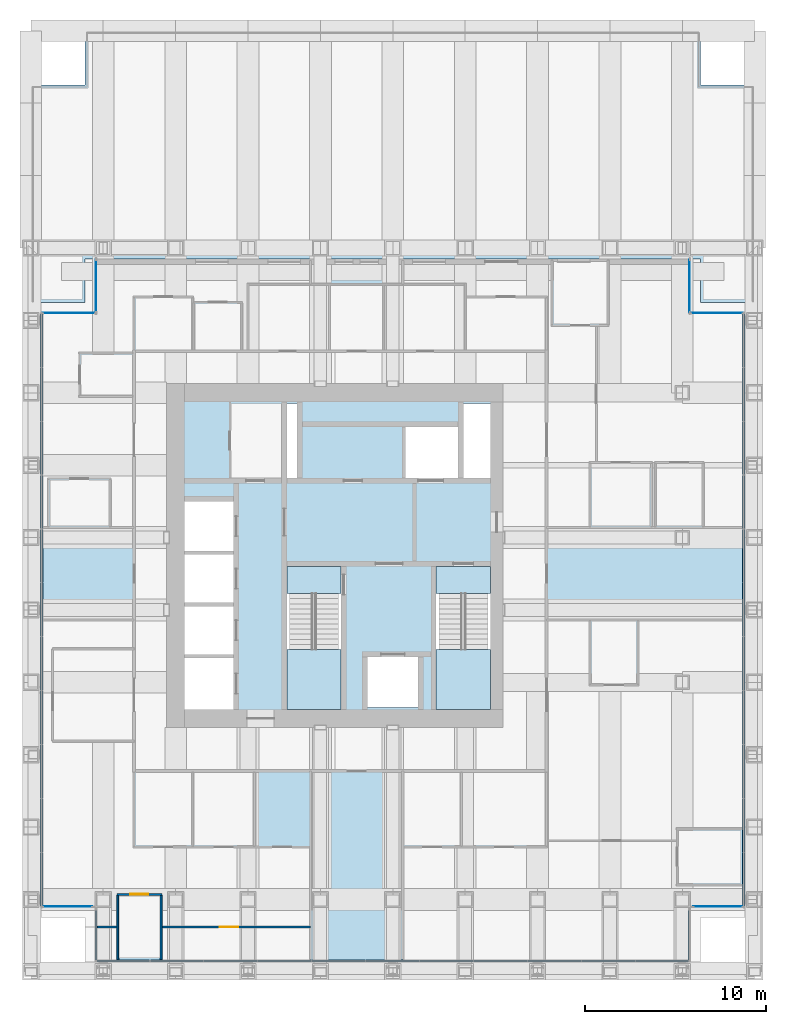
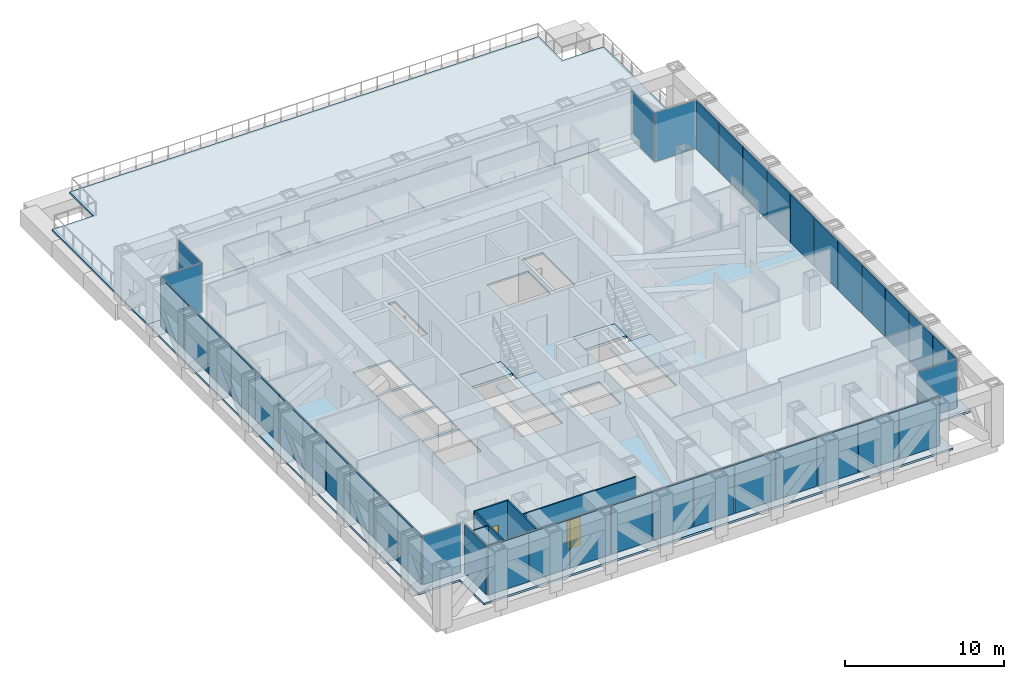
# One storey, part 10 of 17: 41 plates, 6 slabs, 5 walls, 2 doors, 2 openings, 13 elements without a shape of their own.
"""IFC4 building model written with IfcOpenShell, lengths in metres."""

from ifc_helpers import new_model, si_unit, direction, frame, frame_2d, origin, origin_2d, place, context, subcontext, project, spatial, polyline, rectangle, outline, extrude, material, layer, layer_set, type_object, element, fill, aggregate, save


model = new_model("IFC4")

# Units and contexts
model_context = context("Model", 3, precision=1e-05, world=origin(), true_north=direction((0.0, 1.0)))
body_context = subcontext(model_context, "Body", "Model", "MODEL_VIEW")
ifc_project = project(units=[si_unit("LENGTHUNIT", "METRE"), si_unit("AREAUNIT", "SQUARE_METRE"), si_unit("VOLUMEUNIT", "CUBIC_METRE"), si_unit("PLANEANGLEUNIT", "RADIAN"), si_unit("MASSUNIT", "GRAM", prefix="KILO")], contexts=[model_context])

# Site, building, storey
site_placement = place(None, origin())
site = spatial("IfcSite", under=ifc_project, at=site_placement, CompositionType="ELEMENT")
building_placement = place(site_placement, origin())
building = spatial("IfcBuilding", under=site, at=building_placement, Name="Rimbunsela Tower", CompositionType="ELEMENT")
storey_placement = place(building_placement, frame((0.0, 0.0, 238.199951171875)))
storey = spatial("IfcBuildingStorey", under=building, at=storey_placement, Name="L57", CompositionType="ELEMENT", Elevation=238.199951171875)

# Slab
ifc_material_1 = material(Name="Concrete fc' 35 MPa", Category="concrete")
ifc_layer_1 = layer(ifc_material_1, 0.14990234375)
ifc_layer_set_1 = layer_set([ifc_layer_1], Name="Floor slab 150")
slab_type_1 = type_object("IfcSlabType", Name="Floor slab 150", PredefinedType="FLOOR", material=ifc_layer_set_1)
slab_1_placement = place(storey_placement, frame((0.0, 0.0, -0.14990234375)))
element("IfcSlab", 1, at=slab_1_placement, inside=storey, type_object=slab_type_1, Name="Floor slab L57", PredefinedType="FLOOR", context=body_context, shape_type="SweptSolid", body=[
    extrude(outline(polyline([(47.0, 41.0), (47.0, 43.39990234375), (13.0, 43.39990234375), (13.0, 41.0), (10.0, 41.0), (10.0, 7.0), (13.0, 7.0), (13.0, 4.0), (47.0, 4.0), (47.0, 7.0), (50.0, 7.0), (50.0, 41.0), (47.0, 41.0)]), holes=[polyline([(21.199951171875, 21.35009765625), (18.5, 21.35009765625), (18.5, 18.5), (21.199951171875, 18.5), (21.199951171875, 21.35009765625)]), polyline([(21.199951171875, 21.550048828125), (21.199951171875, 24.199951171875), (18.5, 24.199951171875), (18.5, 21.550048828125), (21.199951171875, 21.550048828125)]), polyline([(21.199951171875, 27.050048828125), (18.5, 27.050048828125), (18.5, 24.39990234375), (21.199951171875, 24.39990234375), (21.199951171875, 27.050048828125)]), polyline([(21.199951171875, 30.0), (18.5, 30.0), (18.5, 27.25), (21.199951171875, 27.25), (21.199951171875, 30.0)]), polyline([(27.14990234375, 26.39990234375), (24.14990234375, 26.39990234375), (24.14990234375, 18.60009765625), (27.14990234375, 18.60009765625), (27.14990234375, 26.39990234375)]), polyline([(24.699951171875, 31.300048828125), (24.699951171875, 35.39990234375), (24.14990234375, 35.39990234375), (24.14990234375, 31.300048828125), (24.699951171875, 31.300048828125)]), polyline([(31.39990234375, 21.39990234375), (28.60009765625, 21.39990234375), (28.60009765625, 18.60009765625), (31.39990234375, 18.60009765625), (31.39990234375, 21.39990234375)]), polyline([(33.60009765625, 34.10009765625), (30.60009765625, 34.10009765625), (30.60009765625, 31.300048828125), (33.60009765625, 31.300048828125), (33.60009765625, 34.10009765625)]), polyline([(35.39990234375, 18.60009765625), (35.39990234375, 26.39990234375), (32.39990234375, 26.39990234375), (32.39990234375, 18.60009765625), (35.39990234375, 18.60009765625)]), polyline([(35.39990234375, 31.300048828125), (35.39990234375, 35.39990234375), (33.89990234375, 35.39990234375), (33.89990234375, 31.300048828125), (35.39990234375, 31.300048828125)])]), origin(), (0.0, 0.0, 1.0), 0.14990234375),
])

# Curtain wall, plate
ifc_material_2 = material(Name="Aluminium curtain wall", Category="aluminium")
curtain_wall_type_1 = type_object("IfcCurtainWallType", Name="Corner glazing", PredefinedType="USERDEFINED", material=ifc_material_2)
curtain_wall_1_placement = place(storey_placement, origin())
curtain_wall_1 = element("IfcCurtainWall", 2, at=curtain_wall_1_placement, inside=storey, type_object=curtain_wall_type_1, Name="Corner glazing L57", ObjectType="CORNER GLAZING", PredefinedType="USERDEFINED")
ifc_material_3 = material(Name="Clear double glazing", Category="glass")
ifc_layer_2 = layer(ifc_material_3, 0.028076171875)
ifc_layer_set_2 = layer_set([ifc_layer_2], Name="Glazed panel clear")
plate_type_1 = type_object("IfcPlateType", Name="Glazed panel clear", PredefinedType="CURTAIN_PANEL", material=ifc_layer_set_2)
plate_1_placement = place(storey_placement, frame((47.97509765625, 7.60009765625, 0.06005859375), z_axis=(0.0, 0.0, 1.0), x_axis=(1.0, 0.0, 0.0)))
plate_1 = element("IfcPlate", 3, at=plate_1_placement, type_object=plate_type_1, Name="CW5 panel 1.1", PredefinedType="CURTAIN_PANEL", context=body_context, shape_type="SweptSolid", body=[
    extrude(rectangle(XDim=2.72998046875, YDim=0.028076171875, at=origin_2d()), origin(), (0.0, 0.0, 1.0), 3.72998046875),
])
aggregate(curtain_wall_1, [plate_1])

curtain_wall_2_placement = place(storey_placement, origin())
curtain_wall_2 = element("IfcCurtainWall", 4, at=curtain_wall_2_placement, inside=storey, type_object=curtain_wall_type_1, Name="Corner glazing L57", ObjectType="CORNER GLAZING", PredefinedType="USERDEFINED")
plate_2_placement = place(storey_placement, frame((47.89990234375, 40.39990234375, 0.06005859375), z_axis=(0.0, 0.0, 1.0), x_axis=(-1.0, 0.0, 0.0)))
plate_2 = element("IfcPlate", 5, at=plate_2_placement, type_object=plate_type_1, Name="CW5 panel 1.1", PredefinedType="CURTAIN_PANEL", context=body_context, shape_type="SweptSolid", body=[
    extrude(rectangle(XDim=2.8798828125, YDim=0.028076171875, at=origin_2d()), origin(), (0.0, 0.0, 1.0), 3.72998046875),
])
aggregate(curtain_wall_2, [plate_2])

curtain_wall_3_placement = place(storey_placement, origin())
curtain_wall_3 = element("IfcCurtainWall", 6, at=curtain_wall_3_placement, inside=storey, type_object=curtain_wall_type_1, Name="Corner glazing L57", ObjectType="CORNER GLAZING", PredefinedType="USERDEFINED")
plate_3_placement = place(storey_placement, frame((46.39990234375, 41.89990234375, 0.06005859375), z_axis=(0.0, 0.0, 1.0), x_axis=(0.0, 1.0, 0.0)))
plate_3 = element("IfcPlate", 7, at=plate_3_placement, type_object=plate_type_1, Name="CW5 panel 1.1", PredefinedType="CURTAIN_PANEL", context=body_context, shape_type="SweptSolid", body=[
    extrude(rectangle(XDim=2.8798828125, YDim=0.028076171875, at=origin_2d()), origin(), (0.0, 0.0, 1.0), 3.72998046875),
])
aggregate(curtain_wall_3, [plate_3])

curtain_wall_4_placement = place(storey_placement, origin())
curtain_wall_4 = element("IfcCurtainWall", 8, at=curtain_wall_4_placement, inside=storey, type_object=curtain_wall_type_1, Name="Corner glazing L57", ObjectType="CORNER GLAZING", PredefinedType="USERDEFINED")
plate_4_placement = place(storey_placement, frame((13.60009765625, 41.89990234375, 0.06005859375), z_axis=(0.0, 0.0, 1.0), x_axis=(0.0, -1.0, 0.0)))
plate_4 = element("IfcPlate", 9, at=plate_4_placement, type_object=plate_type_1, Name="CW5 panel 1.1", PredefinedType="CURTAIN_PANEL", context=body_context, shape_type="SweptSolid", body=[
    extrude(rectangle(XDim=2.8798828125, YDim=0.028076171875, at=origin_2d()), origin(), (0.0, 0.0, 1.0), 3.72998046875),
])
aggregate(curtain_wall_4, [plate_4])

curtain_wall_5_placement = place(storey_placement, origin())
curtain_wall_5 = element("IfcCurtainWall", 10, at=curtain_wall_5_placement, inside=storey, type_object=curtain_wall_type_1, Name="Corner glazing L57", ObjectType="CORNER GLAZING", PredefinedType="USERDEFINED")
plate_5_placement = place(storey_placement, frame((12.10009765625, 40.39990234375, 0.06005859375), z_axis=(0.0, 0.0, 1.0), x_axis=(-1.0, 0.0, 0.0)))
plate_5 = element("IfcPlate", 11, at=plate_5_placement, type_object=plate_type_1, Name="CW5 panel 1.1", PredefinedType="CURTAIN_PANEL", context=body_context, shape_type="SweptSolid", body=[
    extrude(rectangle(XDim=2.8798828125, YDim=0.028076171875, at=origin_2d()), origin(), (0.0, 0.0, 1.0), 3.72998046875),
])
aggregate(curtain_wall_5, [plate_5])

curtain_wall_6_placement = place(storey_placement, origin())
curtain_wall_6 = element("IfcCurtainWall", 12, at=curtain_wall_6_placement, inside=storey, type_object=curtain_wall_type_1, Name="Corner glazing L57", ObjectType="CORNER GLAZING", PredefinedType="USERDEFINED")
plate_6_placement = place(storey_placement, frame((12.02490234375, 7.60009765625, 0.06005859375), z_axis=(0.0, 0.0, 1.0), x_axis=(1.0, 0.0, 0.0)))
plate_6 = element("IfcPlate", 13, at=plate_6_placement, type_object=plate_type_1, Name="CW5 panel 1.1", PredefinedType="CURTAIN_PANEL", context=body_context, shape_type="SweptSolid", body=[
    extrude(rectangle(XDim=2.72998046875, YDim=0.028076171875, at=origin_2d()), origin(), (0.0, 0.0, 1.0), 3.72998046875),
])
aggregate(curtain_wall_6, [plate_6])

ifc_material_4 = material(Name="Aluminium curtain wall", Category="aluminium")
curtain_wall_type_2 = type_object("IfcCurtainWallType", Name="Spandrel wall", PredefinedType="USERDEFINED", material=ifc_material_4)
curtain_wall_7_placement = place(storey_placement, origin())
curtain_wall_7 = element("IfcCurtainWall", 14, at=curtain_wall_7_placement, inside=storey, type_object=curtain_wall_type_2, Name="Spandrel wall L57", ObjectType="SPANDREL WALL", PredefinedType="USERDEFINED")
ifc_material_5 = material(Name="Insulated aluminium spandrel panel", Category="aluminium")
ifc_layer_3 = layer(ifc_material_5, 0.10009765625)
ifc_layer_set_3 = layer_set([ifc_layer_3], Name="Insulated panel 100")
plate_type_2 = type_object("IfcPlateType", Name="Insulated panel 100", PredefinedType="CURTAIN_PANEL", material=ifc_layer_set_3)
plate_7_placement = place(storey_placement, frame((46.39990234375, 6.02490234375, 0.06005859375), z_axis=(0.0, 0.0, 1.0), x_axis=(0.0, 1.0, 0.0)))
plate_7 = element("IfcPlate", 15, at=plate_7_placement, type_object=plate_type_2, Name="CW7 panel 1.1", PredefinedType="CURTAIN_PANEL", context=body_context, shape_type="SweptSolid", body=[
    extrude(rectangle(XDim=2.72998046875, YDim=0.10009765625, at=origin_2d()), origin(), (0.0, 0.0, 1.0), 3.72998046875),
])
aggregate(curtain_wall_7, [plate_7])

# Curtain wall, plates
ifc_material_6 = material(Name="Aluminium curtain wall", Category="aluminium")
curtain_wall_type_3 = type_object("IfcCurtainWallType", Name="Exoskeleton storey infill", PredefinedType="USERDEFINED", material=ifc_material_6)
curtain_wall_8_placement = place(storey_placement, origin())
curtain_wall_8 = element("IfcCurtainWall", 16, at=curtain_wall_8_placement, inside=storey, type_object=curtain_wall_type_3, Name="Exoskeleton storey infill L57", ObjectType="EXOSKELETON STOREY INFILL", PredefinedType="USERDEFINED")
plate_8_placement = place(storey_placement, frame((49.39990234375, 9.10595703125, 0.06005859375), z_axis=(0.0, 0.0, 1.0), x_axis=(0.0, 1.0, 0.0)))
plate_8 = element("IfcPlate", 17, at=plate_8_placement, type_object=plate_type_2, Name="CW2 panel 1.1", PredefinedType="CURTAIN_PANEL", context=body_context, shape_type="SweptSolid", body=[
    extrude(rectangle(XDim=2.891845703125, YDim=0.10009765625, at=origin_2d()), origin(), (0.0, 0.0, 1.0), 3.72998046875),
])
plate_9_placement = place(storey_placement, frame((49.39990234375, 12.07275390625, 0.06005859375), z_axis=(0.0, 0.0, 1.0), x_axis=(0.0, 1.0, 0.0)))
plate_9 = element("IfcPlate", 18, at=plate_9_placement, type_object=plate_type_2, Name="CW2 panel 2.1", PredefinedType="CURTAIN_PANEL", context=body_context, shape_type="SweptSolid", body=[
    extrude(rectangle(XDim=2.921875, YDim=0.10009765625, at=origin_2d()), origin(), (0.0, 0.0, 1.0), 3.72998046875),
])
plate_10_placement = place(storey_placement, frame((49.39990234375, 15.054443359375, 0.06005859375), z_axis=(0.0, 0.0, 1.0), x_axis=(0.0, 1.0, 0.0)))
plate_10 = element("IfcPlate", 19, at=plate_10_placement, type_object=plate_type_2, Name="CW2 panel 3.1", PredefinedType="CURTAIN_PANEL", context=body_context, shape_type="SweptSolid", body=[
    extrude(rectangle(XDim=2.921875, YDim=0.10009765625, at=origin_2d()), origin(), (0.0, 0.0, 1.0), 3.72998046875),
])
plate_11_placement = place(storey_placement, frame((49.39990234375, 18.036376953125, 0.06005859375), z_axis=(0.0, 0.0, 1.0), x_axis=(0.0, 1.0, 0.0)))
plate_11 = element("IfcPlate", 20, at=plate_11_placement, type_object=plate_type_2, Name="CW2 panel 4.1", PredefinedType="CURTAIN_PANEL", context=body_context, shape_type="SweptSolid", body=[
    extrude(rectangle(XDim=2.921875, YDim=0.10009765625, at=origin_2d()), origin(), (0.0, 0.0, 1.0), 3.72998046875),
])
plate_12_placement = place(storey_placement, frame((49.39990234375, 21.01806640625, 0.06005859375), z_axis=(0.0, 0.0, 1.0), x_axis=(0.0, 1.0, 0.0)))
plate_12 = element("IfcPlate", 21, at=plate_12_placement, type_object=plate_type_2, Name="CW2 panel 5.1", PredefinedType="CURTAIN_PANEL", context=body_context, shape_type="SweptSolid", body=[
    extrude(rectangle(XDim=2.921875, YDim=0.10009765625, at=origin_2d()), origin(), (0.0, 0.0, 1.0), 3.72998046875),
])
plate_13_placement = place(storey_placement, frame((49.39990234375, 24.0, 0.06005859375), z_axis=(0.0, 0.0, 1.0), x_axis=(0.0, 1.0, 0.0)))
plate_13 = element("IfcPlate", 22, at=plate_13_placement, type_object=plate_type_2, Name="CW2 panel 6.1", PredefinedType="CURTAIN_PANEL", context=body_context, shape_type="SweptSolid", body=[
    extrude(rectangle(XDim=2.921875, YDim=0.10009765625, at=origin_2d()), origin(), (0.0, 0.0, 1.0), 3.72998046875),
])
plate_14_placement = place(storey_placement, frame((49.39990234375, 26.98193359375, 0.06005859375), z_axis=(0.0, 0.0, 1.0), x_axis=(0.0, 1.0, 0.0)))
plate_14 = element("IfcPlate", 23, at=plate_14_placement, type_object=plate_type_2, Name="CW2 panel 7.1", PredefinedType="CURTAIN_PANEL", context=body_context, shape_type="SweptSolid", body=[
    extrude(rectangle(XDim=2.921875, YDim=0.10009765625, at=origin_2d()), origin(), (0.0, 0.0, 1.0), 3.72998046875),
])
plate_15_placement = place(storey_placement, frame((49.39990234375, 29.963623046875, 0.06005859375), z_axis=(0.0, 0.0, 1.0), x_axis=(0.0, 1.0, 0.0)))
plate_15 = element("IfcPlate", 24, at=plate_15_placement, type_object=plate_type_2, Name="CW2 panel 8.1", PredefinedType="CURTAIN_PANEL", context=body_context, shape_type="SweptSolid", body=[
    extrude(rectangle(XDim=2.921875, YDim=0.10009765625, at=origin_2d()), origin(), (0.0, 0.0, 1.0), 3.72998046875),
])
plate_16_placement = place(storey_placement, frame((49.39990234375, 32.945556640625, 0.06005859375), z_axis=(0.0, 0.0, 1.0), x_axis=(0.0, 1.0, 0.0)))
plate_16 = element("IfcPlate", 25, at=plate_16_placement, type_object=plate_type_2, Name="CW2 panel 9.1", PredefinedType="CURTAIN_PANEL", context=body_context, shape_type="SweptSolid", body=[
    extrude(rectangle(XDim=2.921875, YDim=0.10009765625, at=origin_2d()), origin(), (0.0, 0.0, 1.0), 3.72998046875),
])
plate_17_placement = place(storey_placement, frame((49.39990234375, 35.92724609375, 0.06005859375), z_axis=(0.0, 0.0, 1.0), x_axis=(0.0, 1.0, 0.0)))
plate_17 = element("IfcPlate", 26, at=plate_17_placement, type_object=plate_type_2, Name="CW2 panel 10.1", PredefinedType="CURTAIN_PANEL", context=body_context, shape_type="SweptSolid", body=[
    extrude(rectangle(XDim=2.921875, YDim=0.10009765625, at=origin_2d()), origin(), (0.0, 0.0, 1.0), 3.72998046875),
])
plate_18_placement = place(storey_placement, frame((49.39990234375, 38.89404296875, 0.06005859375), z_axis=(0.0, 0.0, 1.0), x_axis=(0.0, 1.0, 0.0)))
plate_18 = element("IfcPlate", 27, at=plate_18_placement, type_object=plate_type_2, Name="CW2 panel 11.1", PredefinedType="CURTAIN_PANEL", context=body_context, shape_type="SweptSolid", body=[
    extrude(rectangle(XDim=2.891845703125, YDim=0.10009765625, at=origin_2d()), origin(), (0.0, 0.0, 1.0), 3.72998046875),
])
aggregate(curtain_wall_8, [plate_8, plate_9, plate_10, plate_11, plate_12, plate_13, plate_14, plate_15, plate_16, plate_17, plate_18])

curtain_wall_9_placement = place(storey_placement, origin())
curtain_wall_9 = element("IfcCurtainWall", 28, at=curtain_wall_9_placement, inside=storey, type_object=curtain_wall_type_3, Name="Exoskeleton storey infill L57", ObjectType="EXOSKELETON STOREY INFILL", PredefinedType="USERDEFINED")
plate_19_placement = place(storey_placement, frame((10.60009765625, 38.89404296875, 0.06005859375), z_axis=(0.0, 0.0, 1.0), x_axis=(0.0, -1.0, 0.0)))
plate_19 = element("IfcPlate", 29, at=plate_19_placement, type_object=plate_type_2, Name="CW2 panel 1.1", PredefinedType="CURTAIN_PANEL", context=body_context, shape_type="SweptSolid", body=[
    extrude(rectangle(XDim=2.891845703125, YDim=0.10009765625, at=origin_2d()), origin(), (0.0, 0.0, 1.0), 3.72998046875),
])
plate_20_placement = place(storey_placement, frame((10.60009765625, 35.92724609375, 0.06005859375), z_axis=(0.0, 0.0, 1.0), x_axis=(0.0, -1.0, 0.0)))
plate_20 = element("IfcPlate", 30, at=plate_20_placement, type_object=plate_type_2, Name="CW2 panel 2.1", PredefinedType="CURTAIN_PANEL", context=body_context, shape_type="SweptSolid", body=[
    extrude(rectangle(XDim=2.921875, YDim=0.10009765625, at=origin_2d()), origin(), (0.0, 0.0, 1.0), 3.72998046875),
])
plate_21_placement = place(storey_placement, frame((10.60009765625, 32.945556640625, 0.06005859375), z_axis=(0.0, 0.0, 1.0), x_axis=(0.0, -1.0, 0.0)))
plate_21 = element("IfcPlate", 31, at=plate_21_placement, type_object=plate_type_2, Name="CW2 panel 3.1", PredefinedType="CURTAIN_PANEL", context=body_context, shape_type="SweptSolid", body=[
    extrude(rectangle(XDim=2.921875, YDim=0.10009765625, at=origin_2d()), origin(), (0.0, 0.0, 1.0), 3.72998046875),
])
plate_22_placement = place(storey_placement, frame((10.60009765625, 29.963623046875, 0.06005859375), z_axis=(0.0, 0.0, 1.0), x_axis=(0.0, -1.0, 0.0)))
plate_22 = element("IfcPlate", 32, at=plate_22_placement, type_object=plate_type_2, Name="CW2 panel 4.1", PredefinedType="CURTAIN_PANEL", context=body_context, shape_type="SweptSolid", body=[
    extrude(rectangle(XDim=2.921875, YDim=0.10009765625, at=origin_2d()), origin(), (0.0, 0.0, 1.0), 3.72998046875),
])
plate_23_placement = place(storey_placement, frame((10.60009765625, 26.98193359375, 0.06005859375), z_axis=(0.0, 0.0, 1.0), x_axis=(0.0, -1.0, 0.0)))
plate_23 = element("IfcPlate", 33, at=plate_23_placement, type_object=plate_type_2, Name="CW2 panel 5.1", PredefinedType="CURTAIN_PANEL", context=body_context, shape_type="SweptSolid", body=[
    extrude(rectangle(XDim=2.921875, YDim=0.10009765625, at=origin_2d()), origin(), (0.0, 0.0, 1.0), 3.72998046875),
])
plate_24_placement = place(storey_placement, frame((10.60009765625, 24.0, 0.06005859375), z_axis=(0.0, 0.0, 1.0), x_axis=(0.0, -1.0, 0.0)))
plate_24 = element("IfcPlate", 34, at=plate_24_placement, type_object=plate_type_2, Name="CW2 panel 6.1", PredefinedType="CURTAIN_PANEL", context=body_context, shape_type="SweptSolid", body=[
    extrude(rectangle(XDim=2.921875, YDim=0.10009765625, at=origin_2d()), origin(), (0.0, 0.0, 1.0), 3.72998046875),
])
plate_25_placement = place(storey_placement, frame((10.60009765625, 21.01806640625, 0.06005859375), z_axis=(0.0, 0.0, 1.0), x_axis=(0.0, -1.0, 0.0)))
plate_25 = element("IfcPlate", 35, at=plate_25_placement, type_object=plate_type_2, Name="CW2 panel 7.1", PredefinedType="CURTAIN_PANEL", context=body_context, shape_type="SweptSolid", body=[
    extrude(rectangle(XDim=2.921875, YDim=0.10009765625, at=origin_2d()), origin(), (0.0, 0.0, 1.0), 3.72998046875),
])
plate_26_placement = place(storey_placement, frame((10.60009765625, 18.036376953125, 0.06005859375), z_axis=(0.0, 0.0, 1.0), x_axis=(0.0, -1.0, 0.0)))
plate_26 = element("IfcPlate", 36, at=plate_26_placement, type_object=plate_type_2, Name="CW2 panel 8.1", PredefinedType="CURTAIN_PANEL", context=body_context, shape_type="SweptSolid", body=[
    extrude(rectangle(XDim=2.921875, YDim=0.10009765625, at=origin_2d()), origin(), (0.0, 0.0, 1.0), 3.72998046875),
])
plate_27_placement = place(storey_placement, frame((10.60009765625, 15.054443359375, 0.06005859375), z_axis=(0.0, 0.0, 1.0), x_axis=(0.0, -1.0, 0.0)))
plate_27 = element("IfcPlate", 37, at=plate_27_placement, type_object=plate_type_2, Name="CW2 panel 9.1", PredefinedType="CURTAIN_PANEL", context=body_context, shape_type="SweptSolid", body=[
    extrude(rectangle(XDim=2.921875, YDim=0.10009765625, at=origin_2d()), origin(), (0.0, 0.0, 1.0), 3.72998046875),
])
plate_28_placement = place(storey_placement, frame((10.60009765625, 12.07275390625, 0.06005859375), z_axis=(0.0, 0.0, 1.0), x_axis=(0.0, -1.0, 0.0)))
plate_28 = element("IfcPlate", 38, at=plate_28_placement, type_object=plate_type_2, Name="CW2 panel 10.1", PredefinedType="CURTAIN_PANEL", context=body_context, shape_type="SweptSolid", body=[
    extrude(rectangle(XDim=2.921875, YDim=0.10009765625, at=origin_2d()), origin(), (0.0, 0.0, 1.0), 3.72998046875),
])
plate_29_placement = place(storey_placement, frame((10.60009765625, 9.10595703125, 0.06005859375), z_axis=(0.0, 0.0, 1.0), x_axis=(0.0, -1.0, 0.0)))
plate_29 = element("IfcPlate", 39, at=plate_29_placement, type_object=plate_type_2, Name="CW2 panel 11.1", PredefinedType="CURTAIN_PANEL", context=body_context, shape_type="SweptSolid", body=[
    extrude(rectangle(XDim=2.891845703125, YDim=0.10009765625, at=origin_2d()), origin(), (0.0, 0.0, 1.0), 3.72998046875),
])
aggregate(curtain_wall_9, [plate_19, plate_20, plate_21, plate_22, plate_23, plate_24, plate_25, plate_26, plate_27, plate_28, plate_29])

# Curtain wall, plate
curtain_wall_10_placement = place(storey_placement, origin())
curtain_wall_10 = element("IfcCurtainWall", 40, at=curtain_wall_10_placement, inside=storey, type_object=curtain_wall_type_2, Name="Spandrel wall L57", ObjectType="SPANDREL WALL", PredefinedType="USERDEFINED")
plate_30_placement = place(storey_placement, frame((13.60009765625, 6.02490234375, 0.06005859375), z_axis=(0.0, 0.0, 1.0), x_axis=(0.0, -1.0, 0.0)))
plate_30 = element("IfcPlate", 41, at=plate_30_placement, type_object=plate_type_2, Name="CW7 panel 1.1", PredefinedType="CURTAIN_PANEL", context=body_context, shape_type="SweptSolid", body=[
    extrude(rectangle(XDim=2.72998046875, YDim=0.10009765625, at=origin_2d()), origin(), (0.0, 0.0, 1.0), 3.72998046875),
])
aggregate(curtain_wall_10, [plate_30])

# Curtain wall, plates
curtain_wall_11_placement = place(storey_placement, origin())
curtain_wall_11 = element("IfcCurtainWall", 42, at=curtain_wall_11_placement, inside=storey, type_object=curtain_wall_type_3, Name="Exoskeleton storey infill L57", ObjectType="EXOSKELETON STOREY INFILL", PredefinedType="USERDEFINED")
plate_31_placement = place(storey_placement, frame((15.10595703125, 4.60009765625, 0.06005859375), z_axis=(0.0, 0.0, 1.0), x_axis=(1.0, 0.0, 0.0)))
plate_31 = element("IfcPlate", 43, at=plate_31_placement, type_object=plate_type_2, Name="CW2 panel 1.1", PredefinedType="CURTAIN_PANEL", context=body_context, shape_type="SweptSolid", body=[
    extrude(rectangle(XDim=2.891845703125, YDim=0.10009765625, at=origin_2d()), origin(), (0.0, 0.0, 1.0), 3.72998046875),
])
plate_32_placement = place(storey_placement, frame((18.07275390625, 4.60009765625, 0.06005859375), z_axis=(0.0, 0.0, 1.0), x_axis=(1.0, 0.0, 0.0)))
plate_32 = element("IfcPlate", 44, at=plate_32_placement, type_object=plate_type_2, Name="CW2 panel 2.1", PredefinedType="CURTAIN_PANEL", context=body_context, shape_type="SweptSolid", body=[
    extrude(rectangle(XDim=2.921875, YDim=0.10009765625, at=origin_2d()), origin(), (0.0, 0.0, 1.0), 3.72998046875),
])
plate_33_placement = place(storey_placement, frame((21.054443359375, 4.60009765625, 0.06005859375), z_axis=(0.0, 0.0, 1.0), x_axis=(1.0, 0.0, 0.0)))
plate_33 = element("IfcPlate", 45, at=plate_33_placement, type_object=plate_type_2, Name="CW2 panel 3.1", PredefinedType="CURTAIN_PANEL", context=body_context, shape_type="SweptSolid", body=[
    extrude(rectangle(XDim=2.921875, YDim=0.10009765625, at=origin_2d()), origin(), (0.0, 0.0, 1.0), 3.72998046875),
])
plate_34_placement = place(storey_placement, frame((24.036376953125, 4.60009765625, 0.06005859375), z_axis=(0.0, 0.0, 1.0), x_axis=(1.0, 0.0, 0.0)))
plate_34 = element("IfcPlate", 46, at=plate_34_placement, type_object=plate_type_2, Name="CW2 panel 4.1", PredefinedType="CURTAIN_PANEL", context=body_context, shape_type="SweptSolid", body=[
    extrude(rectangle(XDim=2.921875, YDim=0.10009765625, at=origin_2d()), origin(), (0.0, 0.0, 1.0), 3.72998046875),
])
plate_35_placement = place(storey_placement, frame((27.01806640625, 4.60009765625, 0.06005859375), z_axis=(0.0, 0.0, 1.0), x_axis=(1.0, 0.0, 0.0)))
plate_35 = element("IfcPlate", 47, at=plate_35_placement, type_object=plate_type_2, Name="CW2 panel 5.1", PredefinedType="CURTAIN_PANEL", context=body_context, shape_type="SweptSolid", body=[
    extrude(rectangle(XDim=2.921875, YDim=0.10009765625, at=origin_2d()), origin(), (0.0, 0.0, 1.0), 3.72998046875),
])
plate_36_placement = place(storey_placement, frame((30.0, 4.60009765625, 0.06005859375), z_axis=(0.0, 0.0, 1.0), x_axis=(1.0, 0.0, 0.0)))
plate_36 = element("IfcPlate", 48, at=plate_36_placement, type_object=plate_type_2, Name="CW2 panel 6.1", PredefinedType="CURTAIN_PANEL", context=body_context, shape_type="SweptSolid", body=[
    extrude(rectangle(XDim=2.921875, YDim=0.10009765625, at=origin_2d()), origin(), (0.0, 0.0, 1.0), 3.72998046875),
])
plate_37_placement = place(storey_placement, frame((32.98193359375, 4.60009765625, 0.06005859375), z_axis=(0.0, 0.0, 1.0), x_axis=(1.0, 0.0, 0.0)))
plate_37 = element("IfcPlate", 49, at=plate_37_placement, type_object=plate_type_2, Name="CW2 panel 7.1", PredefinedType="CURTAIN_PANEL", context=body_context, shape_type="SweptSolid", body=[
    extrude(rectangle(XDim=2.921875, YDim=0.10009765625, at=origin_2d()), origin(), (0.0, 0.0, 1.0), 3.72998046875),
])
plate_38_placement = place(storey_placement, frame((35.963623046875, 4.60009765625, 0.06005859375), z_axis=(0.0, 0.0, 1.0), x_axis=(1.0, 0.0, 0.0)))
plate_38 = element("IfcPlate", 50, at=plate_38_placement, type_object=plate_type_2, Name="CW2 panel 8.1", PredefinedType="CURTAIN_PANEL", context=body_context, shape_type="SweptSolid", body=[
    extrude(rectangle(XDim=2.921875, YDim=0.10009765625, at=origin_2d()), origin(), (0.0, 0.0, 1.0), 3.72998046875),
])
plate_39_placement = place(storey_placement, frame((38.945556640625, 4.60009765625, 0.06005859375), z_axis=(0.0, 0.0, 1.0), x_axis=(1.0, 0.0, 0.0)))
plate_39 = element("IfcPlate", 51, at=plate_39_placement, type_object=plate_type_2, Name="CW2 panel 9.1", PredefinedType="CURTAIN_PANEL", context=body_context, shape_type="SweptSolid", body=[
    extrude(rectangle(XDim=2.921875, YDim=0.10009765625, at=origin_2d()), origin(), (0.0, 0.0, 1.0), 3.72998046875),
])
plate_40_placement = place(storey_placement, frame((41.92724609375, 4.60009765625, 0.06005859375), z_axis=(0.0, 0.0, 1.0), x_axis=(1.0, 0.0, 0.0)))
plate_40 = element("IfcPlate", 52, at=plate_40_placement, type_object=plate_type_2, Name="CW2 panel 10.1", PredefinedType="CURTAIN_PANEL", context=body_context, shape_type="SweptSolid", body=[
    extrude(rectangle(XDim=2.921875, YDim=0.10009765625, at=origin_2d()), origin(), (0.0, 0.0, 1.0), 3.72998046875),
])
plate_41_placement = place(storey_placement, frame((44.89404296875, 4.60009765625, 0.06005859375), z_axis=(0.0, 0.0, 1.0), x_axis=(1.0, 0.0, 0.0)))
plate_41 = element("IfcPlate", 53, at=plate_41_placement, type_object=plate_type_2, Name="CW2 panel 11.1", PredefinedType="CURTAIN_PANEL", context=body_context, shape_type="SweptSolid", body=[
    extrude(rectangle(XDim=2.891845703125, YDim=0.10009765625, at=origin_2d()), origin(), (0.0, 0.0, 1.0), 3.72998046875),
])
aggregate(curtain_wall_11, [plate_31, plate_32, plate_33, plate_34, plate_35, plate_36, plate_37, plate_38, plate_39, plate_40, plate_41])

# Stair, slabs
ifc_material_7 = material(Name="Concrete fc' 35 MPa", Category="concrete")
stair_type = type_object("IfcStairType", Name="Exit stair 24 risers", PredefinedType="HALF_TURN_STAIR", material=ifc_material_7)
stair_1_placement = place(storey_placement, origin())
stair_1 = element("IfcStair", 54, at=stair_1_placement, inside=storey, type_object=stair_type, Name="Exit stair A L57", PredefinedType="HALF_TURN_STAIR")
ifc_material_8 = material(Name="Concrete fc' 35 MPa", Category="concrete")
ifc_layer_4 = layer(ifc_material_8, 0.199951171875)
ifc_layer_set_4 = layer_set([ifc_layer_4], Name="Stair landing 200")
slab_type_2 = type_object("IfcSlabType", Name="Stair landing 200", PredefinedType="LANDING", material=ifc_layer_set_4)
slab_2_placement = place(storey_placement, frame((0.0, 0.0, -0.199951171875)))
slab_2 = element("IfcSlab", 55, at=slab_2_placement, type_object=slab_type_2, Name="ST-A landing 1", PredefinedType="LANDING", context=body_context, shape_type="SweptSolid", body=[
    extrude(outline(polyline([(24.14990234375, 24.89990234375), (27.14990234375, 24.89990234375), (27.14990234375, 26.39990234375), (24.14990234375, 26.39990234375), (24.14990234375, 24.89990234375)])), origin(), (0.0, 0.0, 1.0), 0.199951171875),
])
slab_3_placement = place(storey_placement, frame((0.0, 0.0, 1.800048828125)))
slab_3 = element("IfcSlab", 56, at=slab_3_placement, type_object=slab_type_2, Name="ST-A landing 2", PredefinedType="LANDING", context=body_context, shape_type="SweptSolid", body=[
    extrude(outline(polyline([(24.14990234375, 18.5), (27.14990234375, 18.5), (27.14990234375, 21.820068359375), (24.14990234375, 21.820068359375), (24.14990234375, 18.5)])), origin(), (0.0, 0.0, 1.0), 0.199951171875),
])
aggregate(stair_1, [slab_2, slab_3])

stair_2_placement = place(storey_placement, origin())
stair_2 = element("IfcStair", 57, at=stair_2_placement, inside=storey, type_object=stair_type, Name="Exit stair B L57", PredefinedType="HALF_TURN_STAIR")
slab_4_placement = place(storey_placement, frame((0.0, 0.0, -0.199951171875)))
slab_4 = element("IfcSlab", 58, at=slab_4_placement, type_object=slab_type_2, Name="ST-B landing 1", PredefinedType="LANDING", context=body_context, shape_type="SweptSolid", body=[
    extrude(outline(polyline([(32.39990234375, 24.89990234375), (35.39990234375, 24.89990234375), (35.39990234375, 26.39990234375), (32.39990234375, 26.39990234375), (32.39990234375, 24.89990234375)])), origin(), (0.0, 0.0, 1.0), 0.199951171875),
])
slab_5_placement = place(storey_placement, frame((0.0, 0.0, 1.800048828125)))
slab_5 = element("IfcSlab", 59, at=slab_5_placement, type_object=slab_type_2, Name="ST-B landing 2", PredefinedType="LANDING", context=body_context, shape_type="SweptSolid", body=[
    extrude(outline(polyline([(32.39990234375, 18.5), (35.39990234375, 18.5), (35.39990234375, 21.820068359375), (32.39990234375, 21.820068359375), (32.39990234375, 18.5)])), origin(), (0.0, 0.0, 1.0), 0.199951171875),
])
aggregate(stair_2, [slab_4, slab_5])

# Slab
ifc_material_9 = material(Name="Concrete fc' 35 MPa", Category="concrete")
ifc_layer_5 = layer(ifc_material_9, 0.14990234375)
ifc_layer_set_5 = layer_set([ifc_layer_5], Name="Terrace slab 150")
slab_type_3 = type_object("IfcSlabType", Name="Terrace slab 150", PredefinedType="ROOF", material=ifc_layer_set_5)
slab_6_placement = place(storey_placement, frame((0.0, 0.0, -0.14990234375)))
element("IfcSlab", 60, at=slab_6_placement, inside=storey, type_object=slab_type_3, Name="Terrace L57", PredefinedType="ROOF", context=body_context, shape_type="SweptSolid", body=[
    extrude(outline(polyline([(10.0, 53.0), (13.0, 53.0), (13.0, 56.0), (47.0, 56.0), (47.0, 53.0), (50.0, 53.0), (50.0, 41.0), (47.0, 41.0), (47.0, 43.39990234375), (13.0, 43.39990234375), (13.0, 41.0), (10.0, 41.0), (10.0, 53.0)])), origin(), (0.0, 0.0, 1.0), 0.14990234375),
])

# Wall, opening, door
ifc_material_10 = material(Name="Gypsum board on steel studs", Category="steel")
ifc_layer_6 = layer(ifc_material_10, 0.10009765625)
ifc_layer_set_6 = layer_set([ifc_layer_6], Name="Office partition 100")
wall_type = type_object("IfcWallType", Name="Office partition 100", PredefinedType="PARTITIONING", material=ifc_layer_set_6)
wall_1_placement = place(storey_placement, frame((14.75, 8.280029296875, 0.0), z_axis=(0.0, 0.0, 1.0), x_axis=(1.0, 0.0, 0.0)))
wall_1 = element("IfcWall", 61, at=wall_1_placement, inside=storey, type_object=wall_type, Name="Office partition", PredefinedType="PARTITIONING", context=body_context, shape_type="SweptSolid", body=[
    extrude(rectangle(XDim=2.5, YDim=0.10009765625, at=frame_2d((1.25, 0.0))), origin(), (0.0, 0.0, 1.0), 3.85009765625),
])
opening_1_placement = place(wall_1_placement, frame((0.75, 0.0, 0.0)))
opening_1 = element("IfcOpeningElement", 62, at=opening_1_placement, cuts=wall_1, Name="Opening D16", PredefinedType="OPENING", context=body_context, shape_type="SweptSolid", body=[
    extrude(rectangle(XDim=1.0, YDim=2.199951171875, at=frame_2d((0.5, 1.10009765625))), frame((0.0, 0.06005859375, 0.0), z_axis=(0.0, -1.0, 0.0), x_axis=(1.0, 0.0, 0.0)), (0.0, 0.0, 1.0), 0.1201171875),
])
ifc_material_11 = material(Name="Timber door", Category="wood")
door_type_1 = type_object("IfcDoorType", Name="Office door 1000", OperationType="SINGLE_SWING_LEFT", PredefinedType="DOOR", material=ifc_material_11)
door_1_placement = place(opening_1_placement, origin())
door_1 = element("IfcDoor", 63, at=door_1_placement, inside=storey, type_object=door_type_1, Name="Office door", OperationType="SINGLE_SWING_LEFT", OverallHeight=2.199951171875, OverallWidth=1.0, PredefinedType="DOOR", context=body_context, shape_type="SweptSolid", body=[
    extrude(rectangle(XDim=1.0, YDim=2.199951171875, at=frame_2d((0.5, 1.10009765625))), frame((0.0, 0.02490234375, 0.0), z_axis=(0.0, -1.0, 0.0), x_axis=(1.0, 0.0, 0.0)), (0.0, 0.0, 1.0), 0.050048828125),
])
fill(opening_1, door_1)

# Walls
for number, where, z_axis, x_axis, name in (
    (64, (14.800048828125, 4.679931640625, 0.0), (0.0, 0.0, 1.0), (0.0, 1.0, 0.0), "Office partition"),
    (65, (17.199951171875, 4.679931640625, 0.0), (0.0, 0.0, 1.0), (0.0, 1.0, 0.0), "Office partition"),
):
    element("IfcWall", number, at=place(storey_placement, frame(where, z_axis=z_axis, x_axis=x_axis)), inside=storey, type_object=wall_type, Name=name, PredefinedType="PARTITIONING", context=body_context, shape_type="SweptSolid", body=[
        extrude(rectangle(XDim=3.550048828125, YDim=0.10009765625, at=frame_2d((1.77490234375, 0.0))), origin(), (0.0, 0.0, 1.0), 3.85009765625),
    ])
wall_2_placement = place(storey_placement, frame((14.75, 6.47998046875, 0.0), z_axis=(0.0, 0.0, 1.0), x_axis=(-1.0, 0.0, 0.0)))
element("IfcWall", 66, at=wall_2_placement, inside=storey, type_object=wall_type, Name="Office partition", PredefinedType="PARTITIONING", context=body_context, shape_type="SweptSolid", body=[
    extrude(rectangle(XDim=1.070068359375, YDim=0.10009765625, at=frame_2d((0.53515625, 0.0))), origin(), (0.0, 0.0, 1.0), 3.85009765625),
])

# Wall, opening, door
wall_3_placement = place(storey_placement, frame((25.448974609375, 6.47998046875, 0.0), z_axis=(0.0, 0.0, 1.0), x_axis=(-1.0, 0.0, 0.0)))
wall_3 = element("IfcWall", 67, at=wall_3_placement, inside=storey, type_object=wall_type, Name="Office partition", PredefinedType="PARTITIONING", context=body_context, shape_type="SweptSolid", body=[
    extrude(rectangle(XDim=8.198974609375, YDim=0.10009765625, at=frame_2d((4.099609375, 0.0))), origin(), (0.0, 0.0, 1.0), 3.85009765625),
])
opening_2_placement = place(wall_3_placement, frame((3.99951171875, 0.0, 0.0)))
opening_2 = element("IfcOpeningElement", 68, at=opening_2_placement, cuts=wall_3, Name="Opening D17", PredefinedType="OPENING", context=body_context, shape_type="SweptSolid", body=[
    extrude(rectangle(XDim=1.0, YDim=2.199951171875, at=frame_2d((0.5, 1.10009765625))), frame((0.0, 0.06005859375, 0.0), z_axis=(0.0, -1.0, 0.0), x_axis=(1.0, 0.0, 0.0)), (0.0, 0.0, 1.0), 0.1201171875),
])
ifc_material_12 = material(Name="Glazed aluminium door", Category="aluminium")
door_type_2 = type_object("IfcDoorType", Name="Meeting room door 1000 glazed", OperationType="SINGLE_SWING_RIGHT", PredefinedType="DOOR", material=ifc_material_12)
door_2_placement = place(opening_2_placement, origin())
door_2 = element("IfcDoor", 69, at=door_2_placement, inside=storey, type_object=door_type_2, Name="Open office screen door", OperationType="SINGLE_SWING_RIGHT", OverallHeight=2.199951171875, OverallWidth=1.0, PredefinedType="DOOR", context=body_context, shape_type="SweptSolid", body=[
    extrude(rectangle(XDim=1.0, YDim=2.199951171875, at=frame_2d((0.5, 1.10009765625))), frame((0.0, 0.02490234375, 0.0), z_axis=(0.0, -1.0, 0.0), x_axis=(1.0, 0.0, 0.0)), (0.0, 0.0, 1.0), 0.050048828125),
])
fill(opening_2, door_2)

save(model, "model.ifc")
